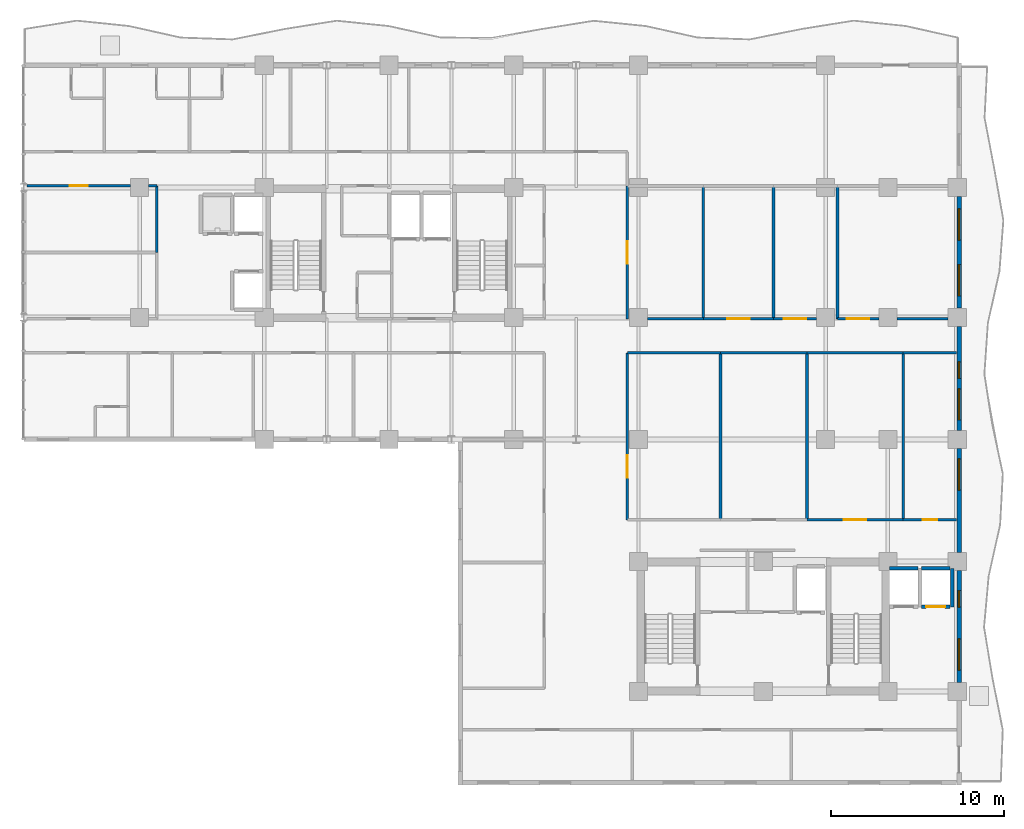
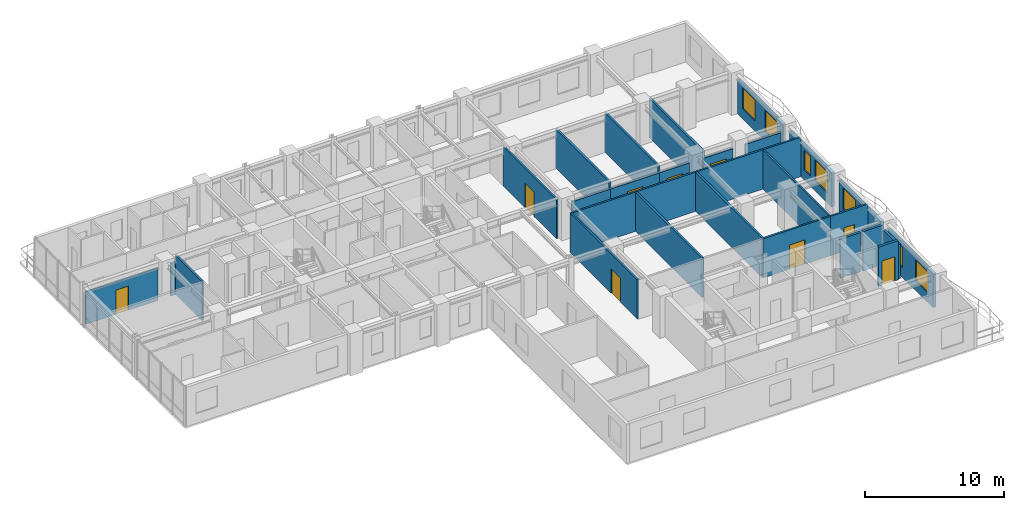
# One storey, part 13 of 20: 30 walls, 9 doors, 7 windows, 16 openings.
"""IFC4 building model written with IfcOpenShell, lengths in metres."""

import ifcopenshell
import ifcopenshell.guid

model = None  # the IFC model being written
_history = None  # IfcOwnerHistory: only IFC2X3 demands one
_inside = {}  # id of a spatial element -> (the spatial element, [elements in it])
_under = {}  # id of a project, library or spatial element -> (it, [spatial elements below it])
_declared = {}  # id of a project -> (the project, [libraries it declares])
_typed = {}  # id of a type object -> (the type object, [elements of that type])
_made_of = {}  # id of a material, layer set ... -> (it, [elements and type objects made of it])


def new_model(schema):
    """Start an empty IFC model of exactly this schema.

    Asked for "IFC4X3", IfcOpenShell would pick the latest addendum, in which some entities
    have other attributes; the version numbers below select the first issue.
    IFC2X3 requires an IfcOwnerHistory on every rooted entity: one is made here for all.
    """
    global model, _history
    if schema == "IFC4X3":
        model = ifcopenshell.file(schema_version=(4, 3, 0, 0))
    else:
        model = ifcopenshell.file(schema=schema)
    _inside.clear()
    _under.clear()
    _declared.clear()
    _typed.clear()
    _made_of.clear()
    _history = None
    if model.schema == "IFC2X3":
        org = make("IfcOrganization", Name="unknown")
        user = make(
            "IfcPersonAndOrganization",
            ThePerson=make("IfcPerson", FamilyName="unknown"),
            TheOrganization=org,
        )
        app = make(
            "IfcApplication",
            ApplicationDeveloper=org,
            Version="unknown",
            ApplicationFullName="unknown",
            ApplicationIdentifier="unknown",
        )
        _history = make(
            "IfcOwnerHistory",
            OwningUser=user,
            OwningApplication=app,
            ChangeAction="ADDED",
            CreationDate=0,
        )
    return model


def make(cls, **values):
    """One entity of the class cls with the attributes given. An attribute that is None is left unset."""
    return model.create_entity(
        cls, **{name: value for name, value in values.items() if value is not None}
    )


def rooted(cls, **values):
    """An entity with a GlobalId (a new one), such as an element, a storey or a relation."""
    return make(cls, GlobalId=ifcopenshell.guid.new(), OwnerHistory=_history, **values)


def si_unit(unit_type, name, prefix=None):
    """IfcSIUnit, for example si_unit("LENGTHUNIT", "METRE", prefix="MILLI")."""
    return make("IfcSIUnit", UnitType=unit_type, Prefix=prefix, Name=name)


def assignment(units):
    """IfcUnitAssignment: the units of a project."""
    return None if units is None else make("IfcUnitAssignment", Units=units)


def point(xyz):
    """IfcCartesianPoint."""
    return None if xyz is None else make("IfcCartesianPoint", Coordinates=xyz)


def direction(xyz):
    """IfcDirection."""
    return None if xyz is None else make("IfcDirection", DirectionRatios=xyz)


def frame(location, z_axis=None, x_axis=None):
    """IfcAxis2Placement3D, a coordinate frame: its origin and axes. An axis left out is left unset."""
    return make(
        "IfcAxis2Placement3D",
        Location=point(location),
        Axis=direction(z_axis),
        RefDirection=direction(x_axis),
    )


def frame_2d(location, x_axis=None):
    """IfcAxis2Placement2D, a coordinate frame in the plane: its origin and x axis."""
    return make(
        "IfcAxis2Placement2D", Location=point(location), RefDirection=direction(x_axis)
    )


def origin():
    """The frame at (0, 0, 0) with its axes left unset."""
    return frame((0.0, 0.0, 0.0))


def place(relative_to, where):
    """IfcLocalPlacement: puts the frame where relative to a parent placement (None: the world)."""
    return make(
        "IfcLocalPlacement", PlacementRelTo=relative_to, RelativePlacement=where
    )


def context(
    kind, dimensions, precision=None, world=None, true_north=None, identifier=None
):
    """IfcGeometricRepresentationContext, for example the 3D "Model" context."""
    return make(
        "IfcGeometricRepresentationContext",
        ContextIdentifier=identifier,
        ContextType=kind,
        CoordinateSpaceDimension=dimensions,
        Precision=precision,
        WorldCoordinateSystem=world,
        TrueNorth=true_north,
    )


def subcontext(parent, identifier, kind, view, scale=None):
    """IfcGeometricRepresentationSubContext, for example "Body" below "Model"."""
    return make(
        "IfcGeometricRepresentationSubContext",
        ContextIdentifier=identifier,
        ContextType=kind,
        ParentContext=parent,
        TargetScale=scale,
        TargetView=view,
    )


def project(units=None, contexts=None):
    """IfcProject with its units and contexts."""
    return rooted(
        "IfcProject",
        Name="project",
        RepresentationContexts=contexts,
        UnitsInContext=assignment(units),
    )


def spatial(cls, under=None, at=None, **own):
    """A site, building, storey or space (cls), placed at a placement, below another one or the project."""
    s = rooted(cls, ObjectPlacement=at, **own)
    if under is not None:
        _under.setdefault(under.id(), (under, []))[1].append(s)
    return s


def profile(cls, at=None, kind="AREA", **sizes):
    """A parametric profile (cls). Its sizes go by their IFC names, for example OverallWidth=200.0."""
    return make(cls, ProfileType=kind, Position=at, **sizes)


def rectangle(**sizes):
    """IfcRectangleProfileDef."""
    return profile("IfcRectangleProfileDef", **sizes)


def extrude(swept, where, along, depth):
    """IfcExtrudedAreaSolid: the profile swept, set in the frame where, extruded along a direction by depth."""
    return make(
        "IfcExtrudedAreaSolid",
        SweptArea=swept,
        Position=where,
        ExtrudedDirection=direction(along),
        Depth=depth,
    )


def shape(context_of_items, identifier, shape_type, items):
    """IfcShapeRepresentation: the items that make up one representation, for example the "Body"."""
    return make(
        "IfcShapeRepresentation",
        ContextOfItems=context_of_items,
        RepresentationIdentifier=identifier,
        RepresentationType=shape_type,
        Items=items,
    )


def material(Name=None, Category=None):
    """IfcMaterial."""
    return make("IfcMaterial", Name=Name, Category=Category)


def layer(
    of_material, thickness, ventilated=None, Name=None, Category=None, Priority=None
):
    """IfcMaterialLayer: one layer of a wall or slab, of a material (None: an air gap)."""
    return make(
        "IfcMaterialLayer",
        Material=of_material,
        LayerThickness=thickness,
        IsVentilated=ventilated,
        Name=Name,
        Category=Category,
        Priority=Priority,
    )


def layer_set(layers, Name=None):
    """IfcMaterialLayerSet."""
    return make("IfcMaterialLayerSet", MaterialLayers=layers, LayerSetName=Name)


def made_of(thing, what):
    """Note that an element or type object is made of a material, layer set ...; save() writes the relation."""
    if what is not None:
        _made_of.setdefault(what.id(), (what, []))[1].append(thing)
    return thing


def type_object(cls, material=None, **own):
    """A type object (cls), such as IfcWallType, which elements share."""
    return made_of(rooted(cls, **own), material)


def element(
    cls,
    number,
    at=None,
    inside=None,
    cuts=None,
    type_object=None,
    material=None,
    context=None,
    identifier="Body",
    shape_type=None,
    held_by="IfcProductDefinitionShape",
    body=None,
    shapes=None,
    **own,
):
    """One element of the class cls, such as IfcWall. Its Tag is "e" and its number.

    at: its placement. inside: the storey or other place that contains it. cuts: it is an
    opening in that element (IfcRelVoidsElement). A single representation is given by context,
    identifier, shape_type and body (its items); several are given by shapes. held_by: the class
    of the entity that holds the representations. save() writes the other relations.
    """
    e = rooted(cls, Tag="e%d" % number, ObjectPlacement=at, **own)
    if body is not None:
        shapes = [shape(context, identifier, shape_type, body)]
    if shapes is not None:
        e.Representation = make(held_by, Representations=shapes)
    if inside is not None:
        _inside.setdefault(inside.id(), (inside, []))[1].append(e)
    if cuts is not None:
        rooted(
            "IfcRelVoidsElement", RelatingBuildingElement=cuts, RelatedOpeningElement=e
        )
    if type_object is not None:
        _typed.setdefault(type_object.id(), (type_object, []))[1].append(e)
    return made_of(e, material)


def fill(opening, filler):
    """IfcRelFillsElement: the door or window that sits in an opening."""
    return rooted(
        "IfcRelFillsElement",
        RelatingOpeningElement=opening,
        RelatedBuildingElement=filler,
    )


def aggregate(whole, parts):
    """IfcRelAggregates: a whole, such as a stair, and the parts it consists of."""
    return rooted("IfcRelAggregates", RelatingObject=whole, RelatedObjects=parts)


def save(model, path):
    """Write the relations noted so far, then the file.

    IfcRelAggregates (storeys below a building ...), IfcRelContainedInSpatialStructure (elements
    in a storey), IfcRelDefinesByType, IfcRelAssociatesMaterial and IfcRelDeclares: one each for
    every whole, place, type object, material and project.
    """
    for whole, parts in _under.values():
        aggregate(whole, parts)
    for where, things in _inside.values():
        rooted(
            "IfcRelContainedInSpatialStructure",
            RelatedElements=things,
            RelatingStructure=where,
        )
    for kind, things in _typed.values():
        rooted("IfcRelDefinesByType", RelatedObjects=things, RelatingType=kind)
    for what, things in _made_of.values():
        rooted("IfcRelAssociatesMaterial", RelatedObjects=things, RelatingMaterial=what)
    for by, libraries in _declared.values():
        rooted("IfcRelDeclares", RelatingContext=by, RelatedDefinitions=libraries)
    model.write(path)


model = new_model("IFC4")

# Units and contexts
model_context = context("Model", 3, precision=1e-05, world=origin(), true_north=direction((0.0, 1.0)))
body_context = subcontext(model_context, "Body", "Model", "MODEL_VIEW")
ifc_project = project(units=[si_unit("LENGTHUNIT", "METRE"), si_unit("AREAUNIT", "SQUARE_METRE"), si_unit("VOLUMEUNIT", "CUBIC_METRE"), si_unit("PLANEANGLEUNIT", "RADIAN"), si_unit("MASSUNIT", "GRAM", prefix="KILO")], contexts=[model_context])

# Site, building, storey
site_placement = place(None, origin())
site = spatial("IfcSite", under=ifc_project, at=site_placement, CompositionType="ELEMENT")
building_placement = place(site_placement, origin())
building = spatial("IfcBuilding", under=site, at=building_placement, Name="Kaliganga Portal Commons", CompositionType="ELEMENT")
storey_placement = place(building_placement, frame((0.0, 0.0, 155.0)))
storey = spatial("IfcBuildingStorey", under=building, at=storey_placement, Name="L39", CompositionType="ELEMENT", Elevation=155.0)

# Wall, openings, windows
ifc_material_1 = material(Name="Insulated Aluminium-Clad Spandrel Assembly", Category="aluminium")
ifc_layer_1 = layer(ifc_material_1, 0.260009765625)
ifc_layer_set_1 = layer_set([ifc_layer_1], Name="Insulated Aluminium-Clad Spandrel Assembly")
wall_type_1 = type_object("IfcWallType", Name="WL-EXT-SPAND-260", PredefinedType="STANDARD", material=ifc_layer_set_1)
wall_1_placement = place(storey_placement, frame((54.5, 14.02392578125, 0.0), z_axis=(0.0, 0.0, 1.0), x_axis=(0.0, -1.0, 0.0)))
wall_1 = element("IfcWall", 1, at=wall_1_placement, inside=storey, type_object=wall_type_1, Name="Exterior Envelope Wall L39 P1-E01-S2", PredefinedType="STANDARD", context=body_context, shape_type="SweptSolid", body=[
    extrude(rectangle(XDim=6.447998046875, YDim=0.260009765625, at=frame_2d((3.22412109375, 0.0))), origin(), (0.0, 0.0, 1.0), 2.989990234375),
])
opening_1_placement = place(wall_1_placement, frame((3.93603515625, 0.0, 0.85009765625)))
opening_1 = element("IfcOpeningElement", 2, at=opening_1_placement, cuts=wall_1, Name="Opening W-01", PredefinedType="OPENING", context=body_context, shape_type="SweptSolid", body=[
    extrude(rectangle(XDim=1.800048828125, YDim=1.85009765625, at=frame_2d((0.89990234375, 0.925048828125))), frame((0.0, 0.14013671875, 0.0), z_axis=(0.0, -1.0, 0.0), x_axis=(1.0, 0.0, 0.0)), (0.0, 0.0, 1.0), 0.280029296875),
])
opening_2_placement = place(wall_1_placement, frame((1.14990234375, 0.0, 0.85009765625)))
opening_2 = element("IfcOpeningElement", 3, at=opening_2_placement, cuts=wall_1, Name="Opening W-04", PredefinedType="OPENING", context=body_context, shape_type="SweptSolid", body=[
    extrude(rectangle(XDim=0.949951171875, YDim=1.75, at=frame_2d((0.47509765625, 0.875))), frame((0.0, 0.14013671875, 0.0), z_axis=(0.0, -1.0, 0.0), x_axis=(1.0, 0.0, 0.0)), (0.0, 0.0, 1.0), 0.280029296875),
])
ifc_material_2 = material(Name="Thermally Broken Aluminium and Low-E Double Glazing", Category="aluminium")
window_type_1 = type_object("IfcWindowType", Name="WIN-NARROW-950", PartitioningType="SINGLE_PANEL", PredefinedType="WINDOW", material=ifc_material_2)
window_1_placement = place(opening_2_placement, origin())
window_1 = element("IfcWindow", 4, at=window_1_placement, inside=storey, type_object=window_type_1, Name="Facade Window L39-P1E01S2-N1", OverallHeight=1.75, OverallWidth=0.949951171875, PartitioningType="SINGLE_PANEL", PredefinedType="WINDOW", context=body_context, shape_type="SweptSolid", body=[
    extrude(rectangle(XDim=0.949951171875, YDim=1.75, at=frame_2d((0.47509765625, 0.875))), frame((0.0, 0.030029296875, 0.0), z_axis=(0.0, -1.0, 0.0), x_axis=(1.0, 0.0, 0.0)), (0.0, 0.0, 1.0), 0.06005859375),
])
fill(opening_2, window_1)
window_type_2 = type_object("IfcWindowType", Name="WIN-STD-1800", PartitioningType="DOUBLE_PANEL_VERTICAL", PredefinedType="WINDOW", material=ifc_material_2)
window_2_placement = place(opening_1_placement, origin())
window_2 = element("IfcWindow", 5, at=window_2_placement, inside=storey, type_object=window_type_2, Name="Facade Window L39-P1E01S2-01", OverallHeight=1.85009765625, OverallWidth=1.800048828125, PartitioningType="SINGLE_PANEL", PredefinedType="WINDOW", context=body_context, shape_type="SweptSolid", body=[
    extrude(rectangle(XDim=1.800048828125, YDim=1.85009765625, at=frame_2d((0.89990234375, 0.925048828125))), frame((0.0, 0.030029296875, 0.0), z_axis=(0.0, -1.0, 0.0), x_axis=(1.0, 0.0, 0.0)), (0.0, 0.0, 1.0), 0.06005859375),
])
fill(opening_1, window_2)

# Wall, opening, window
wall_2_placement = place(storey_placement, frame((54.5, 21.073974609375, 0.0), z_axis=(0.0, 0.0, 1.0), x_axis=(0.0, -1.0, 0.0)))
wall_2 = element("IfcWall", 6, at=wall_2_placement, inside=storey, type_object=wall_type_1, Name="Exterior Envelope Wall L39 P1-E01-S3", PredefinedType="STANDARD", context=body_context, shape_type="SweptSolid", body=[
    extrude(rectangle(XDim=5.998046875, YDim=0.260009765625, at=frame_2d((2.9990234375, 0.0))), origin(), (0.0, 0.0, 1.0), 2.989990234375),
])
opening_3_placement = place(wall_2_placement, frame((0.599609375, 0.0, 0.85009765625)))
opening_3 = element("IfcOpeningElement", 7, at=opening_3_placement, cuts=wall_2, Name="Opening W-01", PredefinedType="OPENING", context=body_context, shape_type="SweptSolid", body=[
    extrude(rectangle(XDim=1.800048828125, YDim=1.85009765625, at=frame_2d((0.89990234375, 0.925048828125))), frame((0.0, 0.14013671875, 0.0), z_axis=(0.0, -1.0, 0.0), x_axis=(1.0, 0.0, 0.0)), (0.0, 0.0, 1.0), 0.280029296875),
])
window_3_placement = place(opening_3_placement, origin())
window_3 = element("IfcWindow", 8, at=window_3_placement, inside=storey, type_object=window_type_2, Name="Facade Window L39-P1E01S3-00", OverallHeight=1.85009765625, OverallWidth=1.800048828125, PartitioningType="SINGLE_PANEL", PredefinedType="WINDOW", context=body_context, shape_type="SweptSolid", body=[
    extrude(rectangle(XDim=1.800048828125, YDim=1.85009765625, at=frame_2d((0.89990234375, 0.925048828125))), frame((0.0, 0.030029296875, 0.0), z_axis=(0.0, -1.0, 0.0), x_axis=(1.0, 0.0, 0.0)), (0.0, 0.0, 1.0), 0.06005859375),
])
fill(opening_3, window_3)

# Wall, openings, windows
wall_3_placement = place(storey_placement, frame((54.5, 28.1240234375, 0.0), z_axis=(0.0, 0.0, 1.0), x_axis=(0.0, -1.0, 0.0)))
wall_3 = element("IfcWall", 9, at=wall_3_placement, inside=storey, type_object=wall_type_1, Name="Exterior Envelope Wall L39 P1-E01-S4", PredefinedType="STANDARD", context=body_context, shape_type="SweptSolid", body=[
    extrude(rectangle(XDim=5.998046875, YDim=0.260009765625, at=frame_2d((2.9990234375, 0.0))), origin(), (0.0, 0.0, 1.0), 2.989990234375),
])
opening_4_placement = place(wall_3_placement, frame((3.598388671875, 0.0, 0.85009765625)))
opening_4 = element("IfcOpeningElement", 10, at=opening_4_placement, cuts=wall_3, Name="Opening W-01", PredefinedType="OPENING", context=body_context, shape_type="SweptSolid", body=[
    extrude(rectangle(XDim=1.800048828125, YDim=1.85009765625, at=frame_2d((0.89990234375, 0.925048828125))), frame((0.0, 0.14013671875, 0.0), z_axis=(0.0, -1.0, 0.0), x_axis=(1.0, 0.0, 0.0)), (0.0, 0.0, 1.0), 0.280029296875),
])
opening_5_placement = place(wall_3_placement, frame((2.044189453125, 0.0, 0.85009765625)))
opening_5 = element("IfcOpeningElement", 11, at=opening_5_placement, cuts=wall_3, Name="Opening W-04", PredefinedType="OPENING", context=body_context, shape_type="SweptSolid", body=[
    extrude(rectangle(XDim=0.949951171875, YDim=1.75, at=frame_2d((0.47509765625, 0.875))), frame((0.0, 0.14013671875, 0.0), z_axis=(0.0, -1.0, 0.0), x_axis=(1.0, 0.0, 0.0)), (0.0, 0.0, 1.0), 0.280029296875),
])
window_4_placement = place(opening_5_placement, origin())
window_4 = element("IfcWindow", 12, at=window_4_placement, inside=storey, type_object=window_type_1, Name="Facade Window L39-P1E01S4-N5", OverallHeight=1.75, OverallWidth=0.949951171875, PartitioningType="SINGLE_PANEL", PredefinedType="WINDOW", context=body_context, shape_type="SweptSolid", body=[
    extrude(rectangle(XDim=0.949951171875, YDim=1.75, at=frame_2d((0.47509765625, 0.875))), frame((0.0, 0.030029296875, 0.0), z_axis=(0.0, -1.0, 0.0), x_axis=(1.0, 0.0, 0.0)), (0.0, 0.0, 1.0), 0.06005859375),
])
fill(opening_5, window_4)
window_5_placement = place(opening_4_placement, origin())
window_5 = element("IfcWindow", 13, at=window_5_placement, inside=storey, type_object=window_type_2, Name="Facade Window L39-P1E01S4-01", OverallHeight=1.85009765625, OverallWidth=1.800048828125, PartitioningType="SINGLE_PANEL", PredefinedType="WINDOW", context=body_context, shape_type="SweptSolid", body=[
    extrude(rectangle(XDim=1.800048828125, YDim=1.85009765625, at=frame_2d((0.89990234375, 0.925048828125))), frame((0.0, 0.030029296875, 0.0), z_axis=(0.0, -1.0, 0.0), x_axis=(1.0, 0.0, 0.0)), (0.0, 0.0, 1.0), 0.06005859375),
])
fill(opening_4, window_5)

wall_4_placement = place(storey_placement, frame((54.5, 35.6240234375, 0.0), z_axis=(0.0, 0.0, 1.0), x_axis=(0.0, -1.0, 0.0)))
wall_4 = element("IfcWall", 14, at=wall_4_placement, inside=storey, type_object=wall_type_1, Name="Exterior Envelope Wall L39 P1-E01-S5", PredefinedType="STANDARD", context=body_context, shape_type="SweptSolid", body=[
    extrude(rectangle(XDim=6.447998046875, YDim=0.260009765625, at=frame_2d((3.22412109375, 0.0))), origin(), (0.0, 0.0, 1.0), 2.989990234375),
])
opening_6_placement = place(wall_4_placement, frame((0.7119140625, 0.0, 0.85009765625)))
opening_6 = element("IfcOpeningElement", 15, at=opening_6_placement, cuts=wall_4, Name="Opening W-01", PredefinedType="OPENING", context=body_context, shape_type="SweptSolid", body=[
    extrude(rectangle(XDim=1.800048828125, YDim=1.85009765625, at=frame_2d((0.89990234375, 0.925048828125))), frame((0.0, 0.14013671875, 0.0), z_axis=(0.0, -1.0, 0.0), x_axis=(1.0, 0.0, 0.0)), (0.0, 0.0, 1.0), 0.280029296875),
])
opening_7_placement = place(wall_4_placement, frame((3.93603515625, 0.0, 0.85009765625)))
opening_7 = element("IfcOpeningElement", 16, at=opening_7_placement, cuts=wall_4, Name="Opening W-01", PredefinedType="OPENING", context=body_context, shape_type="SweptSolid", body=[
    extrude(rectangle(XDim=1.800048828125, YDim=1.85009765625, at=frame_2d((0.89990234375, 0.925048828125))), frame((0.0, 0.14013671875, 0.0), z_axis=(0.0, -1.0, 0.0), x_axis=(1.0, 0.0, 0.0)), (0.0, 0.0, 1.0), 0.280029296875),
])
window_6_placement = place(opening_6_placement, origin())
window_6 = element("IfcWindow", 17, at=window_6_placement, inside=storey, type_object=window_type_2, Name="Facade Window L39-P1E01S5-00", OverallHeight=1.85009765625, OverallWidth=1.800048828125, PartitioningType="SINGLE_PANEL", PredefinedType="WINDOW", context=body_context, shape_type="SweptSolid", body=[
    extrude(rectangle(XDim=1.800048828125, YDim=1.85009765625, at=frame_2d((0.89990234375, 0.925048828125))), frame((0.0, 0.030029296875, 0.0), z_axis=(0.0, -1.0, 0.0), x_axis=(1.0, 0.0, 0.0)), (0.0, 0.0, 1.0), 0.06005859375),
])
fill(opening_6, window_6)
window_7_placement = place(opening_7_placement, origin())
window_7 = element("IfcWindow", 18, at=window_7_placement, inside=storey, type_object=window_type_2, Name="Facade Window L39-P1E01S5-01", OverallHeight=1.85009765625, OverallWidth=1.800048828125, PartitioningType="SINGLE_PANEL", PredefinedType="WINDOW", context=body_context, shape_type="SweptSolid", body=[
    extrude(rectangle(XDim=1.800048828125, YDim=1.85009765625, at=frame_2d((0.89990234375, 0.925048828125))), frame((0.0, 0.030029296875, 0.0), z_axis=(0.0, -1.0, 0.0), x_axis=(1.0, 0.0, 0.0)), (0.0, 0.0, 1.0), 0.06005859375),
])
fill(opening_7, window_7)

# Wall, opening, door
ifc_material_3 = material(Name="Fire-Rated Gypsum Board on Steel Stud", Category="steel")
ifc_layer_2 = layer(ifc_material_3, 0.14990234375)
ifc_layer_set_2 = layer_set([ifc_layer_2], Name="Fire-Rated Gypsum Board on Steel Stud")
wall_type_2 = type_object("IfcWallType", Name="WL-PART-CORR-150", PredefinedType="PARTITIONING", material=ifc_layer_set_2)
wall_5_placement = place(storey_placement, frame((35.360107421875, 16.9599609375, 0.0), z_axis=(0.0, 0.0, 1.0), x_axis=(0.0, 1.0, 0.0)))
wall_5 = element("IfcWall", 19, at=wall_5_placement, inside=storey, type_object=wall_type_2, Name="Interior Partition L39-015", PredefinedType="PARTITIONING", context=body_context, shape_type="SweptSolid", body=[
    extrude(rectangle(XDim=9.64013671875, YDim=0.14990234375, at=frame_2d((4.820068359375, 0.0))), origin(), (0.0, 0.0, 1.0), 3.43994140625),
])
opening_8_placement = place(wall_5_placement, frame((2.434814453125, 0.0, 0.0)))
opening_8 = element("IfcOpeningElement", 20, at=opening_8_placement, cuts=wall_5, Name="Opening RD-03", PredefinedType="OPENING", context=body_context, shape_type="SweptSolid", body=[
    extrude(rectangle(XDim=1.300048828125, YDim=2.1201171875, at=frame_2d((0.64990234375, 1.06005859375))), frame((0.0, 0.0849609375, 0.0), z_axis=(0.0, -1.0, 0.0), x_axis=(1.0, 0.0, 0.0)), (0.0, 0.0, 1.0), 0.169921875),
])
ifc_material_4 = material(Name="Glazed Timber Seminar Vision Door", Category="wood")
door_type_1 = type_object("IfcDoorType", Name="DR-STUDY-1300", OperationType="DOUBLE_DOOR_SINGLE_SWING", PredefinedType="DOOR", material=ifc_material_4)
door_1_placement = place(opening_8_placement, origin())
door_1 = element("IfcDoor", 21, at=door_1_placement, inside=storey, type_object=door_type_1, Name="Interior Door L39-BM01", OperationType="DOUBLE_DOOR_SINGLE_SWING", OverallHeight=2.1201171875, OverallWidth=1.300048828125, PredefinedType="DOOR", context=body_context, shape_type="SweptSolid", body=[
    extrude(rectangle(XDim=1.300048828125, YDim=2.1201171875, at=frame_2d((0.64990234375, 1.06005859375))), frame((0.0, 0.02490234375, 0.0), z_axis=(0.0, -1.0, 0.0), x_axis=(1.0, 0.0, 0.0)), (0.0, 0.0, 1.0), 0.050048828125),
])
fill(opening_8, door_1)

wall_6_placement = place(storey_placement, frame((0.701904296875, 36.239990234375, 0.0), z_axis=(0.0, 0.0, 1.0), x_axis=(1.0, 0.0, 0.0)))
wall_6 = element("IfcWall", 22, at=wall_6_placement, inside=storey, type_object=wall_type_2, Name="Interior Partition L39-020", PredefinedType="PARTITIONING", context=body_context, shape_type="SweptSolid", body=[
    extrude(rectangle(XDim=5.97314453125, YDim=0.14990234375, at=frame_2d((2.986572265625, 0.0))), origin(), (0.0, 0.0, 1.0), 2.840087890625),
])
opening_9_placement = place(wall_6_placement, frame((2.46142578125, 0.0, 0.0)))
opening_9 = element("IfcOpeningElement", 23, at=opening_9_placement, cuts=wall_6, Name="Opening UD-02", PredefinedType="OPENING", context=body_context, shape_type="SweptSolid", body=[
    extrude(rectangle(XDim=1.050048828125, YDim=2.1201171875, at=frame_2d((0.52490234375, 1.06005859375))), frame((0.0, 0.0849609375, 0.0), z_axis=(0.0, -1.0, 0.0), x_axis=(1.0, 0.0, 0.0)), (0.0, 0.0, 1.0), 0.169921875),
])
ifc_material_5 = material(Name="Accessible Wide-Leaf Acoustic Fire Door", Category="wood")
door_type_2 = type_object("IfcDoorType", Name="DR-ACC-1050", OperationType="NOTDEFINED", PredefinedType="DOOR", material=ifc_material_5)
door_2_placement = place(opening_9_placement, origin())
door_2 = element("IfcDoor", 24, at=door_2_placement, inside=storey, type_object=door_type_2, Name="Interior Door L39-AW02", OperationType="SINGLE_SWING_LEFT", OverallHeight=2.1201171875, OverallWidth=1.050048828125, PredefinedType="DOOR", context=body_context, shape_type="SweptSolid", body=[
    extrude(rectangle(XDim=1.050048828125, YDim=2.1201171875, at=frame_2d((0.52490234375, 1.06005859375))), frame((0.0, 0.02490234375, 0.0), z_axis=(0.0, -1.0, 0.0), x_axis=(1.0, 0.0, 0.0)), (0.0, 0.0, 1.0), 0.050048828125),
])
fill(opening_9, door_2)

# Wall
wall_7_placement = place(storey_placement, frame((7.72509765625, 36.239990234375, 0.0), z_axis=(0.0, 0.0, 1.0), x_axis=(1.0, 0.0, 0.0)))
element("IfcWall", 25, at=wall_7_placement, inside=storey, type_object=wall_type_2, Name="Interior Partition L39-021", PredefinedType="PARTITIONING", context=body_context, shape_type="SweptSolid", body=[
    extrude(rectangle(XDim=0.474853515625, YDim=0.14990234375, at=frame_2d((0.2373046875, 0.0))), origin(), (0.0, 0.0, 1.0), 2.840087890625),
])

# Wall, opening, door
wall_8_placement = place(storey_placement, frame((35.360107421875, 28.56005859375, 0.0), z_axis=(0.0, 0.0, 1.0), x_axis=(0.0, 1.0, 0.0)))
wall_8 = element("IfcWall", 26, at=wall_8_placement, inside=storey, type_object=wall_type_2, Name="Interior Partition L39-022", PredefinedType="PARTITIONING", context=body_context, shape_type="SweptSolid", body=[
    extrude(rectangle(XDim=7.679931640625, YDim=0.14990234375, at=frame_2d((3.83984375, 0.0))), origin(), (0.0, 0.0, 1.0), 3.43994140625),
])
opening_10_placement = place(wall_8_placement, frame((3.18994140625, 0.0, 0.0)))
opening_10 = element("IfcOpeningElement", 27, at=opening_10_placement, cuts=wall_8, Name="Opening RD-03", PredefinedType="OPENING", context=body_context, shape_type="SweptSolid", body=[
    extrude(rectangle(XDim=1.300048828125, YDim=2.1201171875, at=frame_2d((0.64990234375, 1.06005859375))), frame((0.0, 0.0849609375, 0.0), z_axis=(0.0, -1.0, 0.0), x_axis=(1.0, 0.0, 0.0)), (0.0, 0.0, 1.0), 0.169921875),
])
door_3_placement = place(opening_10_placement, origin())
door_3 = element("IfcDoor", 28, at=door_3_placement, inside=storey, type_object=door_type_1, Name="Interior Door L39-BK01", OperationType="DOUBLE_DOOR_SINGLE_SWING", OverallHeight=2.1201171875, OverallWidth=1.300048828125, PredefinedType="DOOR", context=body_context, shape_type="SweptSolid", body=[
    extrude(rectangle(XDim=1.300048828125, YDim=2.1201171875, at=frame_2d((0.64990234375, 1.06005859375))), frame((0.0, 0.02490234375, 0.0), z_axis=(0.0, -1.0, 0.0), x_axis=(1.0, 0.0, 0.0)), (0.0, 0.0, 1.0), 0.050048828125),
])
fill(opening_10, door_3)

wall_9_placement = place(storey_placement, frame((47.47998046875, 28.56005859375, 0.0), z_axis=(0.0, 0.0, 1.0), x_axis=(1.0, 0.0, 0.0)))
wall_9 = element("IfcWall", 29, at=wall_9_placement, inside=storey, type_object=wall_type_2, Name="Interior Partition L39-025", PredefinedType="PARTITIONING", context=body_context, shape_type="SweptSolid", body=[
    extrude(rectangle(XDim=2.39501953125, YDim=0.14990234375, at=frame_2d((1.197509765625, 0.0))), origin(), (0.0, 0.0, 1.0), 2.840087890625),
])
opening_11_placement = place(wall_9_placement, frame((0.547607421875, 0.0, 0.0)))
opening_11 = element("IfcOpeningElement", 30, at=opening_11_placement, cuts=wall_9, Name="Opening RD-03", PredefinedType="OPENING", context=body_context, shape_type="SweptSolid", body=[
    extrude(rectangle(XDim=1.300048828125, YDim=2.1201171875, at=frame_2d((0.64990234375, 1.06005859375))), frame((0.0, 0.0849609375, 0.0), z_axis=(0.0, -1.0, 0.0), x_axis=(1.0, 0.0, 0.0)), (0.0, 0.0, 1.0), 0.169921875),
])
door_4_placement = place(opening_11_placement, origin())
door_4 = element("IfcDoor", 31, at=door_4_placement, inside=storey, type_object=door_type_1, Name="Interior Door L39-BK04", OperationType="DOUBLE_DOOR_SINGLE_SWING", OverallHeight=2.1201171875, OverallWidth=1.300048828125, PredefinedType="DOOR", context=body_context, shape_type="SweptSolid", body=[
    extrude(rectangle(XDim=1.300048828125, YDim=2.1201171875, at=frame_2d((0.64990234375, 1.06005859375))), frame((0.0, 0.02490234375, 0.0), z_axis=(0.0, -1.0, 0.0), x_axis=(1.0, 0.0, 0.0)), (0.0, 0.0, 1.0), 0.050048828125),
])
fill(opening_11, door_4)

# Wall
wall_10_placement = place(storey_placement, frame((50.925048828125, 28.56005859375, 0.0), z_axis=(0.0, 0.0, 1.0), x_axis=(1.0, 0.0, 0.0)))
element("IfcWall", 32, at=wall_10_placement, inside=storey, type_object=wall_type_2, Name="Interior Partition L39-026", PredefinedType="PARTITIONING", context=body_context, shape_type="SweptSolid", body=[
    extrude(rectangle(XDim=2.949951171875, YDim=0.14990234375, at=frame_2d((1.47509765625, 0.0))), origin(), (0.0, 0.0, 1.0), 2.840087890625),
])

# Wall, opening, door
wall_11_placement = place(storey_placement, frame((45.719970703125, 16.9599609375, 0.0), z_axis=(0.0, 0.0, 1.0), x_axis=(1.0, 0.0, 0.0)))
wall_11 = element("IfcWall", 33, at=wall_11_placement, inside=storey, type_object=wall_type_2, Name="Interior Partition L39-031", PredefinedType="PARTITIONING", context=body_context, shape_type="SweptSolid", body=[
    extrude(rectangle(XDim=5.56005859375, YDim=0.14990234375, at=frame_2d((2.780029296875, 0.0))), origin(), (0.0, 0.0, 1.0), 3.43994140625),
])
opening_12_placement = place(wall_11_placement, frame((2.1298828125, 0.0, 0.0)))
opening_12 = element("IfcOpeningElement", 34, at=opening_12_placement, cuts=wall_11, Name="Opening RD-03", PredefinedType="OPENING", context=body_context, shape_type="SweptSolid", body=[
    extrude(rectangle(XDim=1.300048828125, YDim=2.1201171875, at=frame_2d((0.64990234375, 1.06005859375))), frame((0.0, 0.0849609375, 0.0), z_axis=(0.0, -1.0, 0.0), x_axis=(1.0, 0.0, 0.0)), (0.0, 0.0, 1.0), 0.169921875),
])
door_5_placement = place(opening_12_placement, origin())
door_5 = element("IfcDoor", 35, at=door_5_placement, inside=storey, type_object=door_type_1, Name="Interior Door L39-BM03", OperationType="DOUBLE_DOOR_SINGLE_SWING", OverallHeight=2.1201171875, OverallWidth=1.300048828125, PredefinedType="DOOR", context=body_context, shape_type="SweptSolid", body=[
    extrude(rectangle(XDim=1.300048828125, YDim=2.1201171875, at=frame_2d((0.64990234375, 1.06005859375))), frame((0.0, 0.02490234375, 0.0), z_axis=(0.0, -1.0, 0.0), x_axis=(1.0, 0.0, 0.0)), (0.0, 0.0, 1.0), 0.050048828125),
])
fill(opening_12, door_5)

# Walls
wall_12_placement = place(storey_placement, frame((45.719970703125, 26.60009765625, 0.0), z_axis=(0.0, 0.0, 1.0), x_axis=(1.0, 0.0, 0.0)))
element("IfcWall", 36, at=wall_12_placement, inside=storey, type_object=wall_type_2, Name="Interior Partition L39-032", PredefinedType="PARTITIONING", context=body_context, shape_type="SweptSolid", body=[
    extrude(rectangle(XDim=5.56005859375, YDim=0.14990234375, at=frame_2d((2.780029296875, 0.0))), origin(), (0.0, 0.0, 1.0), 3.43994140625),
])
wall_13_placement = place(storey_placement, frame((35.360107421875, 26.60009765625, 0.0), z_axis=(0.0, 0.0, 1.0), x_axis=(1.0, 0.0, 0.0)))
element("IfcWall", 37, at=wall_13_placement, inside=storey, type_object=wall_type_2, Name="Interior Partition L39-034", PredefinedType="PARTITIONING", context=body_context, shape_type="SweptSolid", body=[
    extrude(rectangle(XDim=5.3798828125, YDim=0.14990234375, at=frame_2d((2.68994140625, 0.0))), origin(), (0.0, 0.0, 1.0), 3.43994140625),
])
wall_14_placement = place(storey_placement, frame((40.739990234375, 26.60009765625, 0.0), z_axis=(0.0, 0.0, 1.0), x_axis=(1.0, 0.0, 0.0)))
element("IfcWall", 38, at=wall_14_placement, inside=storey, type_object=wall_type_2, Name="Interior Partition L39-037", PredefinedType="PARTITIONING", context=body_context, shape_type="SweptSolid", body=[
    extrude(rectangle(XDim=4.97998046875, YDim=0.14990234375, at=frame_2d((2.489990234375, 0.0))), origin(), (0.0, 0.0, 1.0), 3.43994140625),
])
wall_15_placement = place(storey_placement, frame((36.52490234375, 28.56005859375, 0.0), z_axis=(0.0, 0.0, 1.0), x_axis=(1.0, 0.0, 0.0)))
element("IfcWall", 39, at=wall_15_placement, inside=storey, type_object=wall_type_2, Name="Interior Partition L39-044", PredefinedType="PARTITIONING", context=body_context, shape_type="SweptSolid", body=[
    extrude(rectangle(XDim=3.215087890625, YDim=0.14990234375, at=frame_2d((1.607421875, 0.0))), origin(), (0.0, 0.0, 1.0), 2.840087890625),
])

# Wall, opening, door
wall_16_placement = place(storey_placement, frame((39.739990234375, 28.56005859375, 0.0), z_axis=(0.0, 0.0, 1.0), x_axis=(1.0, 0.0, 0.0)))
wall_16 = element("IfcWall", 40, at=wall_16_placement, inside=storey, type_object=wall_type_2, Name="Interior Partition L39-045", PredefinedType="PARTITIONING", context=body_context, shape_type="SweptSolid", body=[
    extrude(rectangle(XDim=4.06005859375, YDim=0.14990234375, at=frame_2d((2.030029296875, 0.0))), origin(), (0.0, 0.0, 1.0), 2.840087890625),
])
opening_13_placement = place(wall_16_placement, frame((1.3798828125, 0.0, 0.0)))
opening_13 = element("IfcOpeningElement", 41, at=opening_13_placement, cuts=wall_16, Name="Opening RD-03", PredefinedType="OPENING", context=body_context, shape_type="SweptSolid", body=[
    extrude(rectangle(XDim=1.300048828125, YDim=2.1201171875, at=frame_2d((0.64990234375, 1.06005859375))), frame((0.0, 0.0849609375, 0.0), z_axis=(0.0, -1.0, 0.0), x_axis=(1.0, 0.0, 0.0)), (0.0, 0.0, 1.0), 0.169921875),
])
door_6_placement = place(opening_13_placement, origin())
door_6 = element("IfcDoor", 42, at=door_6_placement, inside=storey, type_object=door_type_1, Name="Interior Door L39-BK02", OperationType="DOUBLE_DOOR_SINGLE_SWING", OverallHeight=2.1201171875, OverallWidth=1.300048828125, PredefinedType="DOOR", context=body_context, shape_type="SweptSolid", body=[
    extrude(rectangle(XDim=1.300048828125, YDim=2.1201171875, at=frame_2d((0.64990234375, 1.06005859375))), frame((0.0, 0.02490234375, 0.0), z_axis=(0.0, -1.0, 0.0), x_axis=(1.0, 0.0, 0.0)), (0.0, 0.0, 1.0), 0.050048828125),
])
fill(opening_13, door_6)

# Wall
wall_17_placement = place(storey_placement, frame((8.199951171875, 32.39990234375, 0.0), z_axis=(0.0, 0.0, 1.0), x_axis=(0.0, 1.0, 0.0)))
element("IfcWall", 43, at=wall_17_placement, inside=storey, type_object=wall_type_2, Name="Interior Partition L39-046", PredefinedType="PARTITIONING", context=body_context, shape_type="SweptSolid", body=[
    extrude(rectangle(XDim=3.840087890625, YDim=0.14990234375, at=frame_2d((1.919921875, 0.0))), origin(), (0.0, 0.0, 1.0), 3.43994140625),
])

# Wall, opening, door
wall_18_placement = place(storey_placement, frame((43.800048828125, 28.56005859375, 0.0), z_axis=(0.0, 0.0, 1.0), x_axis=(1.0, 0.0, 0.0)))
wall_18 = element("IfcWall", 44, at=wall_18_placement, inside=storey, type_object=wall_type_2, Name="Interior Partition L39-048", PredefinedType="PARTITIONING", context=body_context, shape_type="SweptSolid", body=[
    extrude(rectangle(XDim=2.474853515625, YDim=0.14990234375, at=frame_2d((1.2373046875, 0.0))), origin(), (0.0, 0.0, 1.0), 2.840087890625),
])
opening_14_placement = place(wall_18_placement, frame((0.58740234375, 0.0, 0.0)))
opening_14 = element("IfcOpeningElement", 45, at=opening_14_placement, cuts=wall_18, Name="Opening RD-03", PredefinedType="OPENING", context=body_context, shape_type="SweptSolid", body=[
    extrude(rectangle(XDim=1.300048828125, YDim=2.1201171875, at=frame_2d((0.64990234375, 1.06005859375))), frame((0.0, 0.0849609375, 0.0), z_axis=(0.0, -1.0, 0.0), x_axis=(1.0, 0.0, 0.0)), (0.0, 0.0, 1.0), 0.169921875),
])
door_7_placement = place(opening_14_placement, origin())
door_7 = element("IfcDoor", 46, at=door_7_placement, inside=storey, type_object=door_type_1, Name="Interior Door L39-BK03", OperationType="DOUBLE_DOOR_SINGLE_SWING", OverallHeight=2.1201171875, OverallWidth=1.300048828125, PredefinedType="DOOR", context=body_context, shape_type="SweptSolid", body=[
    extrude(rectangle(XDim=1.300048828125, YDim=2.1201171875, at=frame_2d((0.64990234375, 1.06005859375))), frame((0.0, 0.02490234375, 0.0), z_axis=(0.0, -1.0, 0.0), x_axis=(1.0, 0.0, 0.0)), (0.0, 0.0, 1.0), 0.050048828125),
])
fill(opening_14, door_7)

wall_19_placement = place(storey_placement, frame((51.280029296875, 16.9599609375, 0.0), z_axis=(0.0, 0.0, 1.0), x_axis=(1.0, 0.0, 0.0)))
wall_19 = element("IfcWall", 47, at=wall_19_placement, inside=storey, type_object=wall_type_2, Name="Interior Partition L39-049", PredefinedType="PARTITIONING", context=body_context, shape_type="SweptSolid", body=[
    extrude(rectangle(XDim=3.087890625, YDim=0.14990234375, at=frame_2d((1.5439453125, 0.0))), origin(), (0.0, 0.0, 1.0), 3.43994140625),
])
opening_15_placement = place(wall_19_placement, frame((1.118896484375, 0.0, 0.0)))
opening_15 = element("IfcOpeningElement", 48, at=opening_15_placement, cuts=wall_19, Name="Opening WD-01", PredefinedType="OPENING", context=body_context, shape_type="SweptSolid", body=[
    extrude(rectangle(XDim=0.85009765625, YDim=2.0400390625, at=frame_2d((0.425048828125, 1.02001953125))), frame((0.0, 0.0849609375, 0.0), z_axis=(0.0, -1.0, 0.0), x_axis=(1.0, 0.0, 0.0)), (0.0, 0.0, 1.0), 0.169921875),
])
ifc_material_6 = material(Name="Moisture-Resistant Laminate Timber Door", Category="wood")
door_type_3 = type_object("IfcDoorType", Name="DR-WET-850", OperationType="NOTDEFINED", PredefinedType="DOOR", material=ifc_material_6)
door_8_placement = place(opening_15_placement, origin())
door_8 = element("IfcDoor", 49, at=door_8_placement, inside=storey, type_object=door_type_3, Name="Interior Door L39-BM04", OperationType="SINGLE_SWING_LEFT", OverallHeight=2.0400390625, OverallWidth=0.85009765625, PredefinedType="DOOR", context=body_context, shape_type="SweptSolid", body=[
    extrude(rectangle(XDim=0.85009765625, YDim=2.0400390625, at=frame_2d((0.425048828125, 1.02001953125))), frame((0.0, 0.02490234375, 0.0), z_axis=(0.0, -1.0, 0.0), x_axis=(1.0, 0.0, 0.0)), (0.0, 0.0, 1.0), 0.050048828125),
])
fill(opening_15, door_8)

# Walls
wall_20_placement = place(storey_placement, frame((51.280029296875, 26.60009765625, 0.0), z_axis=(0.0, 0.0, 1.0), x_axis=(1.0, 0.0, 0.0)))
element("IfcWall", 50, at=wall_20_placement, inside=storey, type_object=wall_type_2, Name="Interior Partition L39-050", PredefinedType="PARTITIONING", context=body_context, shape_type="SweptSolid", body=[
    extrude(rectangle(XDim=3.087890625, YDim=0.14990234375, at=frame_2d((1.5439453125, 0.0))), origin(), (0.0, 0.0, 1.0), 3.43994140625),
])
ifc_material_7 = material(Name="Twin-Stud Acoustic Gypsum Partition", Category="gypsum")
ifc_layer_3 = layer(ifc_material_7, 0.1650390625)
ifc_layer_set_3 = layer_set([ifc_layer_3], Name="Twin-Stud Acoustic Gypsum Partition")
wall_type_3 = type_object("IfcWallType", Name="WL-PART-UNIT-165", PredefinedType="PARTITIONING", material=ifc_layer_set_3)
for number, where, z_axis, x_axis, name in (
    (51, (40.739990234375, 16.9599609375, 0.0), (0.0, 0.0, 1.0), (0.0, 1.0, 0.0), "Interior Partition L39-068"),
    (52, (45.719970703125, 16.9599609375, 0.0), (0.0, 0.0, 1.0), (0.0, 1.0, 0.0), "Interior Partition L39-069"),
):
    element("IfcWall", number, at=place(storey_placement, frame(where, z_axis=z_axis, x_axis=x_axis)), inside=storey, type_object=wall_type_3, Name=name, PredefinedType="PARTITIONING", context=body_context, shape_type="SweptSolid", body=[
        extrude(rectangle(XDim=9.64013671875, YDim=0.1650390625, at=frame_2d((4.820068359375, 0.0))), origin(), (0.0, 0.0, 1.0), 3.43994140625),
    ])
for number, where, z_axis, x_axis, name in (
    (53, (39.739990234375, 28.56005859375, 0.0), (0.0, 0.0, 1.0), (0.0, 1.0, 0.0), "Interior Partition L39-072"),
    (54, (43.800048828125, 28.56005859375, 0.0), (0.0, 0.0, 1.0), (0.0, 1.0, 0.0), "Interior Partition L39-073"),
    (55, (47.47998046875, 28.56005859375, 0.0), (0.0, 0.0, 1.0), (0.0, 1.0, 0.0), "Interior Partition L39-074"),
):
    element("IfcWall", number, at=place(storey_placement, frame(where, z_axis=z_axis, x_axis=x_axis)), inside=storey, type_object=wall_type_3, Name=name, PredefinedType="PARTITIONING", context=body_context, shape_type="SweptSolid", body=[
        extrude(rectangle(XDim=7.679931640625, YDim=0.1650390625, at=frame_2d((3.83984375, 0.0))), origin(), (0.0, 0.0, 1.0), 3.43994140625),
    ])
ifc_material_8 = material(Name="Cement-Board Wet-Room Partition", Category="gypsum")
ifc_layer_4 = layer(ifc_material_8, 0.135009765625)
ifc_layer_set_4 = layer_set([ifc_layer_4], Name="Cement-Board Wet-Room Partition")
wall_type_4 = type_object("IfcWallType", Name="WL-PART-WET-135", PredefinedType="PARTITIONING", material=ifc_layer_set_4)
wall_21_placement = place(storey_placement, frame((51.280029296875, 16.9599609375, 0.0), z_axis=(0.0, 0.0, 1.0), x_axis=(0.0, 1.0, 0.0)))
element("IfcWall", 56, at=wall_21_placement, inside=storey, type_object=wall_type_4, Name="Interior Partition L39-070", PredefinedType="PARTITIONING", context=body_context, shape_type="SweptSolid", body=[
    extrude(rectangle(XDim=9.64013671875, YDim=0.135009765625, at=frame_2d((4.820068359375, 0.0))), origin(), (0.0, 0.0, 1.0), 3.43994140625),
])
ifc_material_9 = material(Name="Fire-Rated Shaftwall Masonry Assembly", Category="masonry")
ifc_layer_5 = layer(ifc_material_9, 0.199951171875)
ifc_layer_set_5 = layer_set([ifc_layer_5], Name="Fire-Rated Shaftwall Masonry Assembly")
wall_type_5 = type_object("IfcWallType", Name="WL-SHAFT-200", PredefinedType="PARTITIONING", material=ifc_layer_set_5)
wall_22_placement = place(storey_placement, frame((50.47509765625, 14.1650390625, 0.0), z_axis=(0.0, 0.0, 1.0), x_axis=(1.0, 0.0, 0.0)))
element("IfcWall", 57, at=wall_22_placement, inside=storey, type_object=wall_type_5, Name="Lift PL-B3 Hoistway Shaft Wall L39-N", PredefinedType="PARTITIONING", context=body_context, shape_type="SweptSolid", body=[
    extrude(rectangle(XDim=1.64990234375, YDim=0.199951171875, at=frame_2d((0.824951171875, 0.0))), origin(), (0.0, 0.0, 1.0), 3.43994140625),
])

# Wall, opening, door
wall_23_placement = place(storey_placement, frame((52.324951171875, 11.93505859375, 0.0), z_axis=(0.0, 0.0, 1.0), x_axis=(1.0, 0.0, 0.0)))
wall_23 = element("IfcWall", 58, at=wall_23_placement, inside=storey, type_object=wall_type_5, Name="Lift PL-B4 Hoistway Shaft Wall L39-S", PredefinedType="PARTITIONING", context=body_context, shape_type="SweptSolid", body=[
    extrude(rectangle(XDim=1.650146484375, YDim=0.199951171875, at=frame_2d((0.8251953125, 0.0))), origin(), (0.0, 0.0, 1.0), 3.43994140625),
])
opening_16_placement = place(wall_23_placement, frame((0.27490234375, 0.0, 0.0)))
opening_16 = element("IfcOpeningElement", 59, at=opening_16_placement, cuts=wall_23, Name="Opening LD-01", PredefinedType="OPENING", context=body_context, shape_type="SweptSolid", body=[
    extrude(rectangle(XDim=1.10009765625, YDim=2.1201171875, at=frame_2d((0.550048828125, 1.06005859375))), frame((0.0, 0.10986328125, 0.0), z_axis=(0.0, -1.0, 0.0), x_axis=(1.0, 0.0, 0.0)), (0.0, 0.0, 1.0), 0.219970703125),
])
ifc_material_10 = material(Name="Brushed Stainless Steel 316 Lift Landing Door", Category="steel")
door_type_4 = type_object("IfcDoorType", Name="DR-LIFT-1100", OperationType="SLIDING_TO_LEFT", PredefinedType="DOOR", material=ifc_material_10)
door_9_placement = place(opening_16_placement, origin())
door_9 = element("IfcDoor", 60, at=door_9_placement, inside=storey, type_object=door_type_4, Name="Lift PL-B4 Sliding Landing Door L39", OperationType="SLIDING_TO_LEFT", OverallHeight=2.1201171875, OverallWidth=1.10009765625, PredefinedType="DOOR", context=body_context, shape_type="SweptSolid", body=[
    extrude(rectangle(XDim=1.10009765625, YDim=2.1201171875, at=frame_2d((0.550048828125, 1.06005859375))), frame((0.0, 0.02490234375, 0.0), z_axis=(0.0, -1.0, 0.0), x_axis=(1.0, 0.0, 0.0)), (0.0, 0.0, 1.0), 0.050048828125),
])
fill(opening_16, door_9)

# Walls
wall_24_placement = place(storey_placement, frame((52.324951171875, 14.1650390625, 0.0), z_axis=(0.0, 0.0, 1.0), x_axis=(1.0, 0.0, 0.0)))
element("IfcWall", 61, at=wall_24_placement, inside=storey, type_object=wall_type_5, Name="Lift PL-B4 Hoistway Shaft Wall L39-N", PredefinedType="PARTITIONING", context=body_context, shape_type="SweptSolid", body=[
    extrude(rectangle(XDim=1.650146484375, YDim=0.199951171875, at=frame_2d((0.8251953125, 0.0))), origin(), (0.0, 0.0, 1.0), 3.43994140625),
])
wall_25_placement = place(storey_placement, frame((54.114990234375, 11.93505859375, 0.0), z_axis=(0.0, 0.0, 1.0), x_axis=(0.0, 1.0, 0.0)))
element("IfcWall", 62, at=wall_25_placement, inside=storey, type_object=wall_type_5, Name="Lift PL-B4 Hoistway Shaft Wall L39-E", PredefinedType="PARTITIONING", context=body_context, shape_type="SweptSolid", body=[
    extrude(rectangle(XDim=2.22998046875, YDim=0.199951171875, at=frame_2d((1.114990234375, 0.0))), origin(), (0.0, 0.0, 1.0), 2.989990234375),
])

save(model, "model.ifc")
